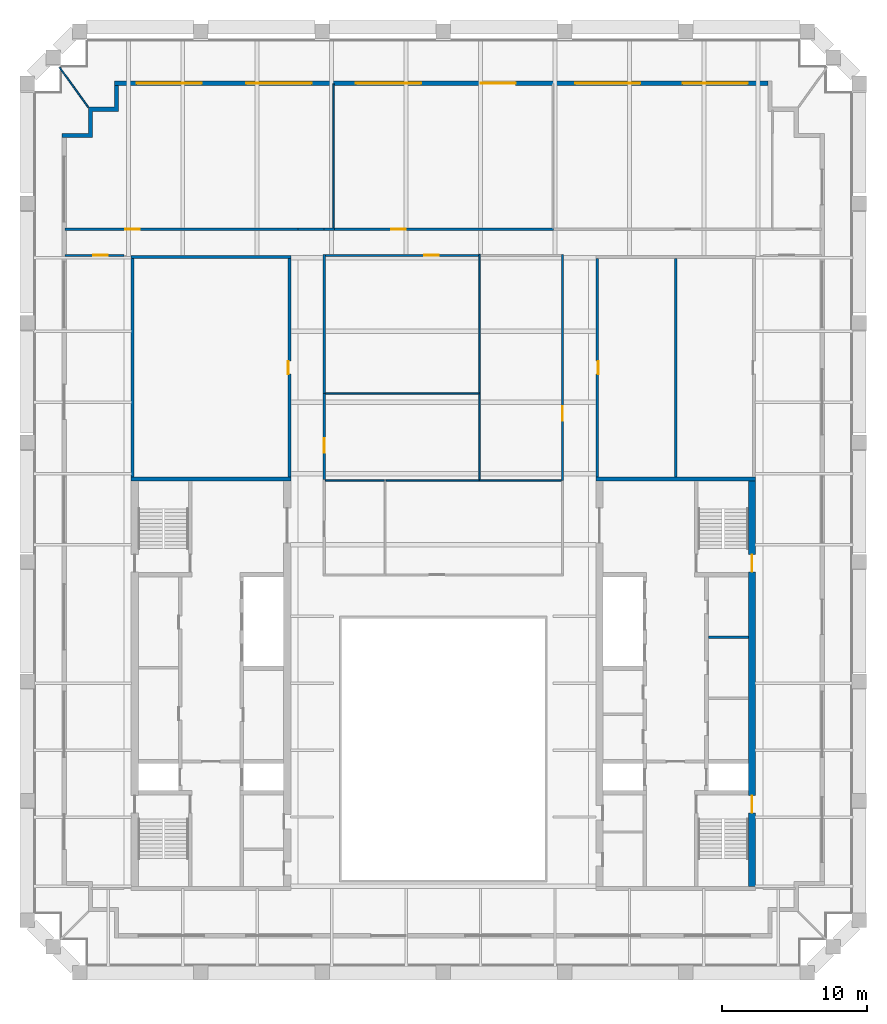
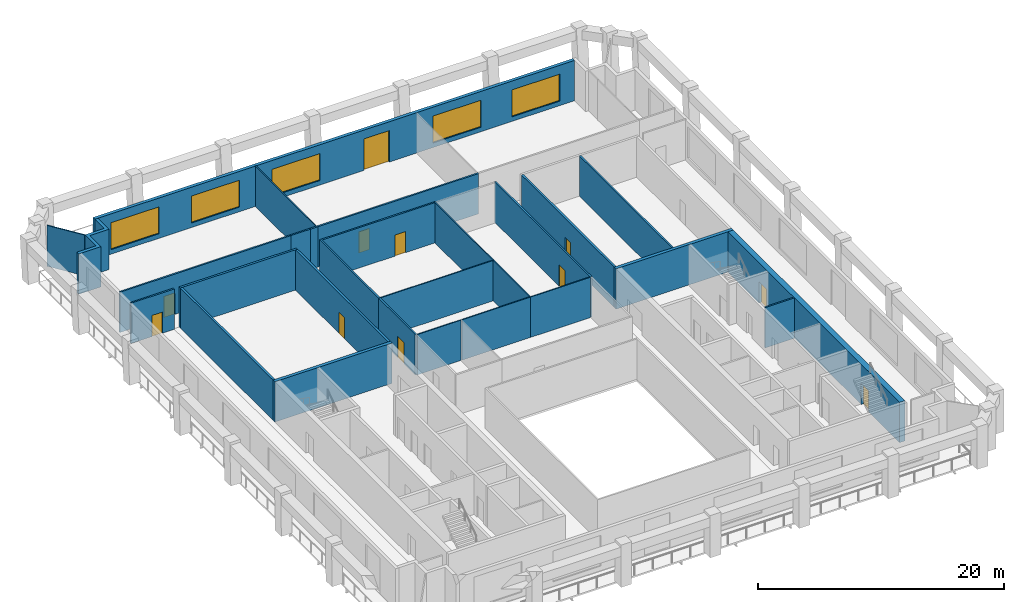
# One storey, part 5 of 7: 28 walls, 11 doors, 5 windows, 16 openings.
"""IFC4 building model written with IfcOpenShell, lengths in metres."""

from ifc_helpers import new_model, si_unit, direction, frame, frame_2d, origin, place, context, subcontext, project, spatial, polyline, rectangle, outline, extrude, material, layer, layer_set, type_object, element, fill, save


model = new_model("IFC4")

# Units and contexts
model_context = context("Model", 3, precision=1e-05, world=origin(), true_north=direction((0.0, 1.0)))
body_context = subcontext(model_context, "Body", "Model", "MODEL_VIEW")
ifc_project = project(units=[si_unit("LENGTHUNIT", "METRE"), si_unit("AREAUNIT", "SQUARE_METRE"), si_unit("VOLUMEUNIT", "CUBIC_METRE"), si_unit("PLANEANGLEUNIT", "RADIAN"), si_unit("MASSUNIT", "GRAM", prefix="KILO")], contexts=[model_context])

# Site, building, storey
site_placement = place(None, origin())
site = spatial("IfcSite", under=ifc_project, at=site_placement, CompositionType="ELEMENT")
building_placement = place(site_placement, origin())
building = spatial("IfcBuilding", under=site, at=building_placement, Name="Ogive Exchange Tower", CompositionType="ELEMENT")
storey_placement = place(building_placement, frame((0.0, 0.0, 313.199951171875)))
storey = spatial("IfcBuildingStorey", under=building, at=storey_placement, Name="L68", CompositionType="ELEMENT", Elevation=313.199951171875)

# Walls
ifc_material_1 = material(Name="Gypsum board partition")
ifc_layer_1 = layer(ifc_material_1, 0.14990234375)
ifc_layer_set_1 = layer_set([ifc_layer_1], Name="Core room partition 150 gypsum")
wall_type_1 = type_object("IfcWallType", Name="Core room partition 150 gypsum", PredefinedType="PARTITIONING", material=ifc_layer_set_1)
wall_1_placement = place(storey_placement, frame((18.25, 14.699951171875, 0.0), z_axis=(0.0, 0.0, 1.0), x_axis=(1.0, 0.0, 0.0)))
element("IfcWall", 1, at=wall_1_placement, inside=storey, type_object=wall_type_1, Name="E row A bay partition 1-2", PredefinedType="PARTITIONING", context=body_context, shape_type="SweptSolid", body=[
    extrude(rectangle(XDim=2.75, YDim=0.14990234375, at=frame_2d((1.375, 0.0))), origin(), (0.0, 0.0, 1.0), 4.0),
])
wall_2_placement = place(storey_placement, frame((16.0, 25.75, 0.0), z_axis=(0.0, 0.0, 1.0), x_axis=(0.0, 1.0, 0.0)))
element("IfcWall", 2, at=wall_2_placement, inside=storey, type_object=wall_type_1, Name="E annex N column wall", PredefinedType="PARTITIONING", context=body_context, shape_type="SweptSolid", body=[
    extrude(rectangle(XDim=15.050048828125, YDim=0.14990234375, at=frame_2d((7.52490234375, 0.0))), origin(), (0.0, 0.0, 1.0), 4.0),
])

# Wall, opening, door
ifc_material_2 = material(Name="Fire partition EI 60 150")
ifc_layer_2 = layer(ifc_material_2, 0.14990234375)
ifc_layer_set_2 = layer_set([ifc_layer_2], Name="Fire partition EI 60 150")
wall_type_2 = type_object("IfcWallType", Name="Fire partition EI 60 150", PredefinedType="PARTITIONING", material=ifc_layer_set_2)
wall_3_placement = place(storey_placement, frame((-26.050048828125, 42.800048828125, 0.0), z_axis=(0.0, 0.0, 1.0), x_axis=(1.0, 0.0, 0.0)))
wall_3 = element("IfcWall", 3, at=wall_3_placement, inside=storey, type_object=wall_type_2, Name="L68-PWL-001", PredefinedType="PARTITIONING", context=body_context, shape_type="SweptSolid", body=[
    extrude(rectangle(XDim=16.050048828125, YDim=0.14990234375, at=frame_2d((8.02490234375, 0.0))), origin(), (0.0, 0.0, 1.0), 4.0),
])
opening_1_placement = place(wall_3_placement, frame((4.14990234375, 0.0, 0.0)))
opening_1 = element("IfcOpeningElement", 4, at=opening_1_placement, cuts=wall_3, Name="Opening L68-I04", PredefinedType="OPENING", context=body_context, shape_type="SweptSolid", body=[
    extrude(rectangle(XDim=1.0, YDim=2.10009765625, at=frame_2d((0.5, 1.050048828125))), frame((0.0, 0.0849609375, 0.0), z_axis=(0.0, -1.0, 0.0), x_axis=(1.0, 0.0, 0.0)), (0.0, 0.0, 1.0), 0.169921875),
])
ifc_material_3 = material(Name="Fire door FD 30S 1000 x 2100")
door_type_1 = type_object("IfcDoorType", Name="Fire door FD 30S 1000 x 2100", OperationType="NOTDEFINED", PredefinedType="DOOR", material=ifc_material_3)
door_1_placement = place(opening_1_placement, origin())
door_1 = element("IfcDoor", 5, at=door_1_placement, inside=storey, type_object=door_type_1, Name="L68-IDR-004", ObjectType="DT3", OperationType="SINGLE_SWING_RIGHT", OverallHeight=2.10009765625, OverallWidth=1.0, PredefinedType="DOOR", context=body_context, shape_type="SweptSolid", body=[
    extrude(rectangle(XDim=1.0, YDim=2.10009765625, at=frame_2d((0.5, 1.050048828125))), frame((0.0, 0.02490234375, 0.0), z_axis=(0.0, -1.0, 0.0), x_axis=(1.0, 0.0, 0.0)), (0.0, 0.0, 1.0), 0.050048828125),
])
fill(opening_1, door_1)

wall_4_placement = place(storey_placement, frame((-22.0, 41.0, 0.0), z_axis=(0.0, 0.0, 1.0), x_axis=(-1.0, 0.0, 0.0)))
wall_4 = element("IfcWall", 6, at=wall_4_placement, inside=storey, type_object=wall_type_2, Name="L68-PWL-003", PredefinedType="PARTITIONING", context=body_context, shape_type="SweptSolid", body=[
    extrude(rectangle(XDim=4.050048828125, YDim=0.14990234375, at=frame_2d((2.02490234375, 0.0))), origin(), (0.0, 0.0, 1.0), 4.0),
])
opening_2_placement = place(wall_4_placement, frame((1.10009765625, 0.0, 0.0)))
opening_2 = element("IfcOpeningElement", 7, at=opening_2_placement, cuts=wall_4, Name="Opening L68-I10", PredefinedType="OPENING", context=body_context, shape_type="SweptSolid", body=[
    extrude(rectangle(XDim=1.0, YDim=2.10009765625, at=frame_2d((0.5, 1.050048828125))), frame((0.0, 0.0849609375, 0.0), z_axis=(0.0, -1.0, 0.0), x_axis=(1.0, 0.0, 0.0)), (0.0, 0.0, 1.0), 0.169921875),
])
door_2_placement = place(opening_2_placement, origin())
door_2 = element("IfcDoor", 8, at=door_2_placement, inside=storey, type_object=door_type_1, Name="L68-IDR-010", ObjectType="DT3", OperationType="SINGLE_SWING_RIGHT", OverallHeight=2.10009765625, OverallWidth=1.0, PredefinedType="DOOR", context=body_context, shape_type="SweptSolid", body=[
    extrude(rectangle(XDim=1.0, YDim=2.10009765625, at=frame_2d((0.5, 1.050048828125))), frame((0.0, 0.02490234375, 0.0), z_axis=(0.0, -1.0, 0.0), x_axis=(1.0, 0.0, 0.0)), (0.0, 0.0, 1.0), 0.050048828125),
])
fill(opening_2, door_2)

# Wall
wall_5_placement = place(storey_placement, frame((-10.0, 42.800048828125, 0.0), z_axis=(0.0, 0.0, 1.0), x_axis=(1.0, 0.0, 0.0)))
element("IfcWall", 9, at=wall_5_placement, inside=storey, type_object=wall_type_2, Name="L68-PWL-004", PredefinedType="PARTITIONING", context=body_context, shape_type="SweptSolid", body=[
    extrude(rectangle(XDim=1.800048828125, YDim=0.14990234375, at=frame_2d((0.89990234375, 0.0))), origin(), (0.0, 0.0, 1.0), 4.0),
])

# Wall, opening, door
wall_6_placement = place(storey_placement, frame((-8.199951171875, 31.5, 0.0), z_axis=(0.0, 0.0, 1.0), x_axis=(0.0, -1.0, 0.0)))
wall_6 = element("IfcWall", 10, at=wall_6_placement, inside=storey, type_object=wall_type_2, Name="L68-PWL-007", PredefinedType="PARTITIONING", context=body_context, shape_type="SweptSolid", body=[
    extrude(rectangle(XDim=5.949951171875, YDim=0.14990234375, at=frame_2d((2.97509765625, 0.0))), origin(), (0.0, 0.0, 1.0), 4.0),
])
opening_3_placement = place(wall_6_placement, frame((3.10009765625, 0.0, 0.0)))
opening_3 = element("IfcOpeningElement", 11, at=opening_3_placement, cuts=wall_6, Name="Opening L68-I06", PredefinedType="OPENING", context=body_context, shape_type="SweptSolid", body=[
    extrude(rectangle(XDim=1.0, YDim=2.10009765625, at=frame_2d((0.5, 1.050048828125))), frame((0.0, 0.0849609375, 0.0), z_axis=(0.0, -1.0, 0.0), x_axis=(1.0, 0.0, 0.0)), (0.0, 0.0, 1.0), 0.169921875),
])
door_3_placement = place(opening_3_placement, origin())
door_3 = element("IfcDoor", 12, at=door_3_placement, inside=storey, type_object=door_type_1, Name="L68-IDR-006", ObjectType="DT3", OperationType="SINGLE_SWING_LEFT", OverallHeight=2.10009765625, OverallWidth=1.0, PredefinedType="DOOR", context=body_context, shape_type="SweptSolid", body=[
    extrude(rectangle(XDim=1.0, YDim=2.10009765625, at=frame_2d((0.5, 1.050048828125))), frame((0.0, 0.02490234375, 0.0), z_axis=(0.0, -1.0, 0.0), x_axis=(1.0, 0.0, 0.0)), (0.0, 0.0, 1.0), 0.050048828125),
])
fill(opening_3, door_3)

# Walls
wall_7_placement = place(storey_placement, frame((-8.199951171875, 41.074951171875, 0.0), z_axis=(0.0, 0.0, 1.0), x_axis=(0.0, -1.0, 0.0)))
element("IfcWall", 13, at=wall_7_placement, inside=storey, type_object=wall_type_2, Name="L68-PWL-009", PredefinedType="PARTITIONING", context=body_context, shape_type="SweptSolid", body=[
    extrude(rectangle(XDim=9.574951171875, YDim=0.14990234375, at=frame_2d((4.78759765625, 0.0))), origin(), (0.0, 0.0, 1.0), 4.0),
])
wall_8_placement = place(storey_placement, frame((-8.199951171875, 42.800048828125, 0.0), z_axis=(0.0, 0.0, 1.0), x_axis=(1.0, 0.0, 0.0)))
element("IfcWall", 14, at=wall_8_placement, inside=storey, type_object=wall_type_2, Name="L68-PWL-010", PredefinedType="PARTITIONING", context=body_context, shape_type="SweptSolid", body=[
    extrude(rectangle(XDim=0.699951171875, YDim=0.14990234375, at=frame_2d((0.35009765625, 0.0))), origin(), (0.0, 0.0, 1.0), 4.0),
])

# Wall, opening, door
wall_9_placement = place(storey_placement, frame((-7.550048828125, 42.800048828125, 0.0), z_axis=(0.0, 0.0, 1.0), x_axis=(1.0, 0.0, 0.0)))
wall_9 = element("IfcWall", 15, at=wall_9_placement, inside=storey, type_object=wall_type_2, Name="L68-PWL-012", PredefinedType="PARTITIONING", context=body_context, shape_type="SweptSolid", body=[
    extrude(rectangle(XDim=15.150146484375, YDim=0.14990234375, at=frame_2d((7.5751953125, 0.0))), origin(), (0.0, 0.0, 1.0), 4.0),
])
opening_4_placement = place(wall_9_placement, frame((3.949951171875, 0.0, 0.0)))
opening_4 = element("IfcOpeningElement", 16, at=opening_4_placement, cuts=wall_9, Name="Opening L68-I03", PredefinedType="OPENING", context=body_context, shape_type="SweptSolid", body=[
    extrude(rectangle(XDim=1.0, YDim=2.10009765625, at=frame_2d((0.5, 1.050048828125))), frame((0.0, 0.0849609375, 0.0), z_axis=(0.0, -1.0, 0.0), x_axis=(1.0, 0.0, 0.0)), (0.0, 0.0, 1.0), 0.169921875),
])
door_4_placement = place(opening_4_placement, origin())
door_4 = element("IfcDoor", 17, at=door_4_placement, inside=storey, type_object=door_type_1, Name="L68-IDR-003", ObjectType="DT3", OperationType="SINGLE_SWING_LEFT", OverallHeight=2.10009765625, OverallWidth=1.0, PredefinedType="DOOR", context=body_context, shape_type="SweptSolid", body=[
    extrude(rectangle(XDim=1.0, YDim=2.10009765625, at=frame_2d((0.5, 1.050048828125))), frame((0.0, 0.02490234375, 0.0), z_axis=(0.0, -1.0, 0.0), x_axis=(1.0, 0.0, 0.0)), (0.0, 0.0, 1.0), 0.050048828125),
])
fill(opening_4, door_4)

wall_10_placement = place(storey_placement, frame((2.449951171875, 41.0, 0.0), z_axis=(0.0, 0.0, 1.0), x_axis=(-1.0, 0.0, 0.0)))
wall_10 = element("IfcWall", 18, at=wall_10_placement, inside=storey, type_object=wall_type_2, Name="L68-PWL-019", PredefinedType="PARTITIONING", context=body_context, shape_type="SweptSolid", body=[
    extrude(rectangle(XDim=10.574951171875, YDim=0.14990234375, at=frame_2d((5.28759765625, 0.0))), origin(), (0.0, 0.0, 1.0), 4.0),
])
opening_5_placement = place(wall_10_placement, frame((2.75, 0.0, 0.0)))
opening_5 = element("IfcOpeningElement", 19, at=opening_5_placement, cuts=wall_10, Name="Opening L68-I07", PredefinedType="OPENING", context=body_context, shape_type="SweptSolid", body=[
    extrude(rectangle(XDim=1.0, YDim=2.10009765625, at=frame_2d((0.5, 1.050048828125))), frame((0.0, 0.0849609375, 0.0), z_axis=(0.0, -1.0, 0.0), x_axis=(1.0, 0.0, 0.0)), (0.0, 0.0, 1.0), 0.169921875),
])
door_5_placement = place(opening_5_placement, origin())
door_5 = element("IfcDoor", 20, at=door_5_placement, inside=storey, type_object=door_type_1, Name="L68-IDR-007", ObjectType="DT3", OperationType="SINGLE_SWING_RIGHT", OverallHeight=2.10009765625, OverallWidth=1.0, PredefinedType="DOOR", context=body_context, shape_type="SweptSolid", body=[
    extrude(rectangle(XDim=1.0, YDim=2.10009765625, at=frame_2d((0.5, 1.050048828125))), frame((0.0, 0.02490234375, 0.0), z_axis=(0.0, -1.0, 0.0), x_axis=(1.0, 0.0, 0.0)), (0.0, 0.0, 1.0), 0.050048828125),
])
fill(opening_5, door_5)

wall_11_placement = place(storey_placement, frame((8.199951171875, 25.5, 0.0), z_axis=(0.0, 0.0, 1.0), x_axis=(0.0, 1.0, 0.0)))
wall_11 = element("IfcWall", 21, at=wall_11_placement, inside=storey, type_object=wall_type_2, Name="L68-PWL-024", PredefinedType="PARTITIONING", context=body_context, shape_type="SweptSolid", body=[
    extrude(rectangle(XDim=15.574951171875, YDim=0.14990234375, at=frame_2d((7.78759765625, 0.0))), origin(), (0.0, 0.0, 1.0), 4.0),
])
opening_6_placement = place(wall_11_placement, frame((4.10009765625, 0.0, 0.0)))
opening_6 = element("IfcOpeningElement", 22, at=opening_6_placement, cuts=wall_11, Name="Opening L68-I05", PredefinedType="OPENING", context=body_context, shape_type="SweptSolid", body=[
    extrude(rectangle(XDim=1.0, YDim=2.10009765625, at=frame_2d((0.5, 1.050048828125))), frame((0.0, 0.0849609375, 0.0), z_axis=(0.0, -1.0, 0.0), x_axis=(1.0, 0.0, 0.0)), (0.0, 0.0, 1.0), 0.169921875),
])
door_6_placement = place(opening_6_placement, origin())
door_6 = element("IfcDoor", 23, at=door_6_placement, inside=storey, type_object=door_type_1, Name="L68-IDR-005", ObjectType="DT3", OperationType="SINGLE_SWING_RIGHT", OverallHeight=2.10009765625, OverallWidth=1.0, PredefinedType="DOOR", context=body_context, shape_type="SweptSolid", body=[
    extrude(rectangle(XDim=1.0, YDim=2.10009765625, at=frame_2d((0.5, 1.050048828125))), frame((0.0, 0.02490234375, 0.0), z_axis=(0.0, -1.0, 0.0), x_axis=(1.0, 0.0, 0.0)), (0.0, 0.0, 1.0), 0.050048828125),
])
fill(opening_6, door_6)

# Wall, openings, door, windows
ifc_material_4 = material(Name="Precast concrete C40/50", Category="concrete")
ifc_layer_3 = layer(ifc_material_4, 0.300048828125)
ifc_layer_set_3 = layer_set([ifc_layer_3], Name="Limestone-faced wall 300")
wall_type_3 = type_object("IfcWallType", Name="Limestone-faced wall 300", PredefinedType="STANDARD", material=ifc_layer_set_3)
wall_12_placement = place(storey_placement, frame((22.35009765625, 52.85009765625, 0.0), z_axis=(0.0, 0.0, 1.0), x_axis=(-1.0, 0.0, 0.0)))
wall_12 = element("IfcWall", 24, at=wall_12_placement, inside=storey, type_object=wall_type_3, Name="External wall N3", PredefinedType="STANDARD", context=body_context, shape_type="SweptSolid", body=[
    extrude(rectangle(XDim=45.0, YDim=0.300048828125, at=frame_2d((22.5, 0.0))), origin(), (0.0, 0.0, 1.0), 4.0),
])
opening_7_placement = place(wall_12_placement, frame((1.375, 0.0, 0.449951171875)))
opening_7 = element("IfcOpeningElement", 25, at=opening_7_placement, cuts=wall_12, Name="Opening W1J", PredefinedType="OPENING", context=body_context, shape_type="SweptSolid", body=[
    extrude(rectangle(XDim=4.5, YDim=2.675048828125, at=frame_2d((2.25, 1.33740234375))), frame((0.0, 0.159912109375, 0.0), z_axis=(0.0, -1.0, 0.0), x_axis=(1.0, 0.0, 0.0)), (0.0, 0.0, 1.0), 0.320068359375),
])
opening_8_placement = place(wall_12_placement, frame((8.77490234375, 0.0, 0.449951171875)))
opening_8 = element("IfcOpeningElement", 26, at=opening_8_placement, cuts=wall_12, Name="Opening W1J", PredefinedType="OPENING", context=body_context, shape_type="SweptSolid", body=[
    extrude(rectangle(XDim=4.5, YDim=2.675048828125, at=frame_2d((2.25, 1.33740234375))), frame((0.0, 0.159912109375, 0.0), z_axis=(0.0, -1.0, 0.0), x_axis=(1.0, 0.0, 0.0)), (0.0, 0.0, 1.0), 0.320068359375),
])
opening_9_placement = place(wall_12_placement, frame((17.375, 0.0, 0.0)))
opening_9 = element("IfcOpeningElement", 27, at=opening_9_placement, cuts=wall_12, Name="Opening D1J", PredefinedType="OPENING", context=body_context, shape_type="SweptSolid", body=[
    extrude(rectangle(XDim=2.39990234375, YDim=3.125, at=frame_2d((1.199951171875, 1.5625))), frame((0.0, 0.159912109375, 0.0), z_axis=(0.0, -1.0, 0.0), x_axis=(1.0, 0.0, 0.0)), (0.0, 0.0, 1.0), 0.320068359375),
])
opening_10_placement = place(wall_12_placement, frame((23.875, 0.0, 0.449951171875)))
opening_10 = element("IfcOpeningElement", 28, at=opening_10_placement, cuts=wall_12, Name="Opening W1J", PredefinedType="OPENING", context=body_context, shape_type="SweptSolid", body=[
    extrude(rectangle(XDim=4.5, YDim=2.675048828125, at=frame_2d((2.25, 1.33740234375))), frame((0.0, 0.159912109375, 0.0), z_axis=(0.0, -1.0, 0.0), x_axis=(1.0, 0.0, 0.0)), (0.0, 0.0, 1.0), 0.320068359375),
])
opening_11_placement = place(wall_12_placement, frame((31.425048828125, 0.0, 0.449951171875)))
opening_11 = element("IfcOpeningElement", 29, at=opening_11_placement, cuts=wall_12, Name="Opening W1J", PredefinedType="OPENING", context=body_context, shape_type="SweptSolid", body=[
    extrude(rectangle(XDim=4.5, YDim=2.675048828125, at=frame_2d((2.25, 1.33740234375))), frame((0.0, 0.159912109375, 0.0), z_axis=(0.0, -1.0, 0.0), x_axis=(1.0, 0.0, 0.0)), (0.0, 0.0, 1.0), 0.320068359375),
])
opening_12_placement = place(wall_12_placement, frame((38.97509765625, 0.0, 0.449951171875)))
opening_12 = element("IfcOpeningElement", 30, at=opening_12_placement, cuts=wall_12, Name="Opening W1J", PredefinedType="OPENING", context=body_context, shape_type="SweptSolid", body=[
    extrude(rectangle(XDim=4.5, YDim=2.675048828125, at=frame_2d((2.25, 1.33740234375))), frame((0.0, 0.159912109375, 0.0), z_axis=(0.0, -1.0, 0.0), x_axis=(1.0, 0.0, 0.0)), (0.0, 0.0, 1.0), 0.320068359375),
])
ifc_material_5 = material(Name="Clear glass in bronze frame", Category="glass")
door_type_2 = type_object("IfcDoorType", Name="Sliding loggia door 2400 x 3125", OperationType="DOUBLE_DOOR_SLIDING", PredefinedType="DOOR", material=ifc_material_5)
door_7_placement = place(opening_9_placement, origin())
door_7 = element("IfcDoor", 31, at=door_7_placement, inside=storey, type_object=door_type_2, Name="Loggia door N02", OperationType="DOUBLE_DOOR_SLIDING", OverallHeight=3.125, OverallWidth=2.39990234375, PredefinedType="DOOR", context=body_context, shape_type="SweptSolid", body=[
    extrude(rectangle(XDim=2.39990234375, YDim=3.125, at=frame_2d((1.199951171875, 1.5625))), frame((0.0, 0.02490234375, 0.0), z_axis=(0.0, -1.0, 0.0), x_axis=(1.0, 0.0, 0.0)), (0.0, 0.0, 1.0), 0.050048828125),
])
fill(opening_9, door_7)
window_type = type_object("IfcWindowType", Name="Twin lancet window 4500 x 2675", PartitioningType="DOUBLE_PANEL_VERTICAL", PredefinedType="WINDOW", material=ifc_material_5)
window_1_placement = place(opening_7_placement, origin())
window_1 = element("IfcWindow", 32, at=window_1_placement, inside=storey, type_object=window_type, Name="Window N00", OverallHeight=2.675048828125, OverallWidth=4.5, PartitioningType="DOUBLE_PANEL_VERTICAL", PredefinedType="WINDOW", context=body_context, shape_type="SweptSolid", body=[
    extrude(rectangle(XDim=4.5, YDim=2.675048828125, at=frame_2d((2.25, 1.33740234375))), frame((0.0, 0.030029296875, 0.0), z_axis=(0.0, -1.0, 0.0), x_axis=(1.0, 0.0, 0.0)), (0.0, 0.0, 1.0), 0.06005859375),
])
fill(opening_7, window_1)
window_2_placement = place(opening_8_placement, origin())
window_2 = element("IfcWindow", 33, at=window_2_placement, inside=storey, type_object=window_type, Name="Window N01", OverallHeight=2.675048828125, OverallWidth=4.5, PartitioningType="DOUBLE_PANEL_VERTICAL", PredefinedType="WINDOW", context=body_context, shape_type="SweptSolid", body=[
    extrude(rectangle(XDim=4.5, YDim=2.675048828125, at=frame_2d((2.25, 1.33740234375))), frame((0.0, 0.030029296875, 0.0), z_axis=(0.0, -1.0, 0.0), x_axis=(1.0, 0.0, 0.0)), (0.0, 0.0, 1.0), 0.06005859375),
])
fill(opening_8, window_2)
window_3_placement = place(opening_10_placement, origin())
window_3 = element("IfcWindow", 34, at=window_3_placement, inside=storey, type_object=window_type, Name="Window N03", OverallHeight=2.675048828125, OverallWidth=4.5, PartitioningType="DOUBLE_PANEL_VERTICAL", PredefinedType="WINDOW", context=body_context, shape_type="SweptSolid", body=[
    extrude(rectangle(XDim=4.5, YDim=2.675048828125, at=frame_2d((2.25, 1.33740234375))), frame((0.0, 0.030029296875, 0.0), z_axis=(0.0, -1.0, 0.0), x_axis=(1.0, 0.0, 0.0)), (0.0, 0.0, 1.0), 0.06005859375),
])
fill(opening_10, window_3)
window_4_placement = place(opening_11_placement, origin())
window_4 = element("IfcWindow", 35, at=window_4_placement, inside=storey, type_object=window_type, Name="Window N04", OverallHeight=2.675048828125, OverallWidth=4.5, PartitioningType="DOUBLE_PANEL_VERTICAL", PredefinedType="WINDOW", context=body_context, shape_type="SweptSolid", body=[
    extrude(rectangle(XDim=4.5, YDim=2.675048828125, at=frame_2d((2.25, 1.33740234375))), frame((0.0, 0.030029296875, 0.0), z_axis=(0.0, -1.0, 0.0), x_axis=(1.0, 0.0, 0.0)), (0.0, 0.0, 1.0), 0.06005859375),
])
fill(opening_11, window_4)
window_5_placement = place(opening_12_placement, origin())
window_5 = element("IfcWindow", 36, at=window_5_placement, inside=storey, type_object=window_type, Name="Window N05", OverallHeight=2.675048828125, OverallWidth=4.5, PartitioningType="DOUBLE_PANEL_VERTICAL", PredefinedType="WINDOW", context=body_context, shape_type="SweptSolid", body=[
    extrude(rectangle(XDim=4.5, YDim=2.675048828125, at=frame_2d((2.25, 1.33740234375))), frame((0.0, 0.030029296875, 0.0), z_axis=(0.0, -1.0, 0.0), x_axis=(1.0, 0.0, 0.0)), (0.0, 0.0, 1.0), 0.06005859375),
])
fill(opening_12, window_5)

# Walls
wall_13_placement = place(storey_placement, origin())
element("IfcWall", 37, at=wall_13_placement, inside=storey, type_object=wall_type_3, Name="External corner wall C3", PredefinedType="STANDARD", context=body_context, shape_type="SweptSolid", body=[
    extrude(outline(polyline([(-24.449951171875, 49.39990234375), (-24.449951171875, 51.199951171875), (-22.64990234375, 51.199951171875), (-22.64990234375, 52.699951171875), (-22.35009765625, 52.699951171875), (-22.35009765625, 50.89990234375), (-24.14990234375, 50.89990234375), (-24.14990234375, 49.10009765625), (-26.25, 49.10009765625), (-26.25, 49.39990234375), (-24.449951171875, 49.39990234375)])), origin(), (0.0, 0.0, 1.0), 4.0),
])
ifc_material_6 = material(Name="Laminated safety glass in steel frame", Category="steel")
ifc_layer_4 = layer(ifc_material_6, 0.10009765625)
ifc_layer_set_4 = layer_set([ifc_layer_4], Name="Loggia end screen 100")
wall_type_4 = type_object("IfcWallType", Name="Loggia end screen 100", PredefinedType="STANDARD", material=ifc_layer_set_4)
wall_14_placement = place(storey_placement, frame((-24.449951171875, 51.199951171875, -0.050048828125), z_axis=(0.0, 0.0, 1.0), x_axis=(-0.585001892545, 0.811031926448, 0.0)))
element("IfcWall", 38, at=wall_14_placement, inside=storey, type_object=wall_type_4, Name="Loggia end screen C3", PredefinedType="STANDARD", context=body_context, shape_type="SweptSolid", body=[
    extrude(rectangle(XDim=3.37548828125, YDim=0.10009765625, at=frame_2d((1.687744140625, 0.0))), origin(), (0.0, 0.0, 1.0), 4.050048828125),
])
ifc_material_7 = material(Name="Partition 100 gypsum")
ifc_layer_5 = layer(ifc_material_7, 0.10009765625)
ifc_layer_set_5 = layer_set([ifc_layer_5], Name="Partition 100 gypsum")
wall_type_5 = type_object("IfcWallType", Name="Partition 100 gypsum", PredefinedType="PARTITIONING", material=ifc_layer_set_5)
wall_15_placement = place(storey_placement, frame((-8.125, 31.5, 0.0), z_axis=(0.0, 0.0, 1.0), x_axis=(1.0, 0.0, 0.0)))
element("IfcWall", 39, at=wall_15_placement, inside=storey, type_object=wall_type_5, Name="L68-PWL-008", PredefinedType="PARTITIONING", context=body_context, shape_type="SweptSolid", body=[
    extrude(rectangle(XDim=10.675048828125, YDim=0.10009765625, at=frame_2d((5.33740234375, 0.0))), origin(), (0.0, 0.0, 1.0), 4.0),
])
wall_16_placement = place(storey_placement, frame((-7.550048828125, 42.875, 0.0), z_axis=(0.0, 0.0, 1.0), x_axis=(0.0, 1.0, 0.0)))
element("IfcWall", 40, at=wall_16_placement, inside=storey, type_object=wall_type_5, Name="L68-PWL-011", PredefinedType="PARTITIONING", context=body_context, shape_type="SweptSolid", body=[
    extrude(rectangle(XDim=9.925048828125, YDim=0.10009765625, at=frame_2d((4.96240234375, 0.0))), origin(), (0.0, 0.0, 1.0), 4.0),
])
wall_17_placement = place(storey_placement, frame((-4.050048828125, 25.5, 0.0), z_axis=(0.0, 0.0, 1.0), x_axis=(-1.0, 0.0, 0.0)))
element("IfcWall", 41, at=wall_17_placement, inside=storey, type_object=wall_type_5, Name="L68-PWL-015", PredefinedType="PARTITIONING", context=body_context, shape_type="SweptSolid", body=[
    extrude(rectangle(XDim=4.074951171875, YDim=0.10009765625, at=frame_2d((2.03759765625, 0.0))), origin(), (0.0, 0.0, 1.0), 4.0),
])
wall_18_placement = place(storey_placement, frame((2.550048828125, 25.5, 0.0), z_axis=(0.0, 0.0, 1.0), x_axis=(-1.0, 0.0, 0.0)))
element("IfcWall", 42, at=wall_18_placement, inside=storey, type_object=wall_type_5, Name="L68-PWL-016", PredefinedType="PARTITIONING", context=body_context, shape_type="SweptSolid", body=[
    extrude(rectangle(XDim=6.5, YDim=0.10009765625, at=frame_2d((3.25, 0.0))), origin(), (0.0, 0.0, 1.0), 4.0),
])
wall_19_placement = place(storey_placement, frame((2.5, 25.550048828125, 0.0), z_axis=(0.0, 0.0, 1.0), x_axis=(0.0, 1.0, 0.0)))
element("IfcWall", 43, at=wall_19_placement, inside=storey, type_object=wall_type_5, Name="L68-PWL-017", PredefinedType="PARTITIONING", context=body_context, shape_type="SweptSolid", body=[
    extrude(rectangle(XDim=5.89990234375, YDim=0.10009765625, at=frame_2d((2.949951171875, 0.0))), origin(), (0.0, 0.0, 1.0), 4.0),
])
wall_20_placement = place(storey_placement, frame((2.5, 31.550048828125, 0.0), z_axis=(0.0, 0.0, 1.0), x_axis=(0.0, 1.0, 0.0)))
element("IfcWall", 44, at=wall_20_placement, inside=storey, type_object=wall_type_5, Name="L68-PWL-018", PredefinedType="PARTITIONING", context=body_context, shape_type="SweptSolid", body=[
    extrude(rectangle(XDim=9.52490234375, YDim=0.10009765625, at=frame_2d((4.762451171875, 0.0))), origin(), (0.0, 0.0, 1.0), 4.0),
])
wall_21_placement = place(storey_placement, frame((8.125, 25.5, 0.0), z_axis=(0.0, 0.0, 1.0), x_axis=(-1.0, 0.0, 0.0)))
element("IfcWall", 45, at=wall_21_placement, inside=storey, type_object=wall_type_5, Name="L68-PWL-023", PredefinedType="PARTITIONING", context=body_context, shape_type="SweptSolid", body=[
    extrude(rectangle(XDim=5.625, YDim=0.10009765625, at=frame_2d((2.8125, 0.0))), origin(), (0.0, 0.0, 1.0), 4.0),
])
ifc_material_8 = material(Name="Concrete C70/85", Category="concrete")
ifc_layer_6 = layer(ifc_material_8, 0.199951171875)
ifc_layer_set_6 = layer_set([ifc_layer_6], Name="RC core wall 200 C70/85")
wall_type_6 = type_object("IfcWallType", Name="RC core wall 200 C70/85", PredefinedType="SHEAR", material=ifc_layer_set_6)
wall_22_placement = place(storey_placement, frame((-21.39990234375, 25.75, 0.0), z_axis=(0.0, 0.0, 1.0), x_axis=(0.0, 1.0, 0.0)))
element("IfcWall", 46, at=wall_22_placement, inside=storey, type_object=wall_type_6, Name="W annex N outer wall", PredefinedType="SHEAR", context=body_context, shape_type="SweptSolid", body=[
    extrude(rectangle(XDim=15.050048828125, YDim=0.199951171875, at=frame_2d((7.52490234375, 0.0))), origin(), (0.0, 0.0, 1.0), 4.0),
])

# Wall, opening, door
wall_23_placement = place(storey_placement, frame((-10.60009765625, 25.75, 0.0), z_axis=(0.0, 0.0, 1.0), x_axis=(0.0, 1.0, 0.0)))
wall_23 = element("IfcWall", 47, at=wall_23_placement, inside=storey, type_object=wall_type_6, Name="W annex N inner wall", PredefinedType="SHEAR", context=body_context, shape_type="SweptSolid", body=[
    extrude(rectangle(XDim=15.050048828125, YDim=0.199951171875, at=frame_2d((7.52490234375, 0.0))), origin(), (0.0, 0.0, 1.0), 4.0),
])
opening_13_placement = place(wall_23_placement, frame((7.074951171875, 0.0, 0.0)))
opening_13 = element("IfcOpeningElement", 48, at=opening_13_placement, cuts=wall_23, Name="Opening L68-C17", PredefinedType="OPENING", context=body_context, shape_type="SweptSolid", body=[
    extrude(rectangle(XDim=0.89990234375, YDim=2.10009765625, at=frame_2d((0.449951171875, 1.050048828125))), frame((0.0, 0.10986328125, 0.0), z_axis=(0.0, -1.0, 0.0), x_axis=(1.0, 0.0, 0.0)), (0.0, 0.0, 1.0), 0.219970703125),
])
ifc_material_9 = material(Name="Steel fire door", Category="steel")
door_type_3 = type_object("IfcDoorType", Name="Riser door FD60 900 x 2100", OperationType="NOTDEFINED", PredefinedType="DOOR", material=ifc_material_9)
door_8_placement = place(opening_13_placement, frame((0.89990234375, 0.14990234375, 0.0), z_axis=(0.0, 0.0, 1.0), x_axis=(-1.0, 0.0, 0.0)))
door_8 = element("IfcDoor", 49, at=door_8_placement, inside=storey, type_object=door_type_3, Name="Riser door", ObjectType="CD2", OperationType="SINGLE_SWING_RIGHT", OverallHeight=2.10009765625, OverallWidth=0.89990234375, PredefinedType="DOOR", context=body_context, shape_type="SweptSolid", body=[
    extrude(rectangle(XDim=0.89990234375, YDim=2.10009765625, at=frame_2d((0.449951171875, 1.050048828125))), frame((0.0, 0.10009765625, 0.0), z_axis=(0.0, -1.0, 0.0), x_axis=(1.0, 0.0, 0.0)), (0.0, 0.0, 1.0), 0.050048828125),
])
fill(opening_13, door_8)

# Wall
wall_24_placement = place(storey_placement, frame((-21.5, 40.89990234375, 0.0), z_axis=(0.0, 0.0, 1.0), x_axis=(1.0, 0.0, 0.0)))
element("IfcWall", 50, at=wall_24_placement, inside=storey, type_object=wall_type_6, Name="W annex N end wall", PredefinedType="SHEAR", context=body_context, shape_type="SweptSolid", body=[
    extrude(rectangle(XDim=11.0, YDim=0.199951171875, at=frame_2d((5.5, 0.0))), origin(), (0.0, 0.0, 1.0), 4.0),
])

# Wall, opening, door
wall_25_placement = place(storey_placement, frame((10.60009765625, 25.75, 0.0), z_axis=(0.0, 0.0, 1.0), x_axis=(0.0, 1.0, 0.0)))
wall_25 = element("IfcWall", 51, at=wall_25_placement, inside=storey, type_object=wall_type_6, Name="E annex N inner wall", PredefinedType="SHEAR", context=body_context, shape_type="SweptSolid", body=[
    extrude(rectangle(XDim=15.050048828125, YDim=0.199951171875, at=frame_2d((7.52490234375, 0.0))), origin(), (0.0, 0.0, 1.0), 4.0),
])
opening_14_placement = place(wall_25_placement, frame((7.074951171875, 0.0, 0.0)))
opening_14 = element("IfcOpeningElement", 52, at=opening_14_placement, cuts=wall_25, Name="Opening L68-C37", PredefinedType="OPENING", context=body_context, shape_type="SweptSolid", body=[
    extrude(rectangle(XDim=0.89990234375, YDim=2.10009765625, at=frame_2d((0.449951171875, 1.050048828125))), frame((0.0, 0.10986328125, 0.0), z_axis=(0.0, -1.0, 0.0), x_axis=(1.0, 0.0, 0.0)), (0.0, 0.0, 1.0), 0.219970703125),
])
ifc_material_10 = material(Name="Timber fire door", Category="wood")
door_type_4 = type_object("IfcDoorType", Name="Core room door FD30S 900 x 2100", OperationType="NOTDEFINED", PredefinedType="DOOR", material=ifc_material_10)
door_9_placement = place(opening_14_placement, origin())
door_9 = element("IfcDoor", 53, at=door_9_placement, inside=storey, type_object=door_type_4, Name="Core room door", ObjectType="CD6", OperationType="SINGLE_SWING_LEFT", OverallHeight=2.10009765625, OverallWidth=0.89990234375, PredefinedType="DOOR", context=body_context, shape_type="SweptSolid", body=[
    extrude(rectangle(XDim=0.89990234375, YDim=2.10009765625, at=frame_2d((0.449951171875, 1.050048828125))), frame((0.0, -0.0498046875, 0.0), z_axis=(0.0, -1.0, 0.0), x_axis=(1.0, 0.0, 0.0)), (0.0, 0.0, 1.0), 0.050048828125),
])
fill(opening_14, door_9)

# Walls
ifc_layer_7 = layer(ifc_material_8, 0.300048828125)
ifc_layer_set_7 = layer_set([ifc_layer_7], Name="RC core wall 300 C70/85")
wall_type_7 = type_object("IfcWallType", Name="RC core wall 300 C70/85", PredefinedType="SHEAR", material=ifc_layer_set_7)
for number, where, z_axis, x_axis, name in (
    (54, (-21.5, 25.60009765625, 0.0), (0.0, 0.0, 1.0), (1.0, 0.0, 0.0), "W north end wall"),
    (55, (10.5, 25.60009765625, 0.0), (0.0, 0.0, 1.0), (1.0, 0.0, 0.0), "E north end wall"),
):
    element("IfcWall", number, at=place(storey_placement, frame(where, z_axis=z_axis, x_axis=x_axis)), inside=storey, type_object=wall_type_7, Name=name, PredefinedType="SHEAR", context=body_context, shape_type="SweptSolid", body=[
        extrude(rectangle(XDim=11.0, YDim=0.300048828125, at=frame_2d((5.5, 0.0))), origin(), (0.0, 0.0, 1.0), 4.0),
    ])

# Wall, openings, doors
ifc_layer_8 = layer(ifc_material_8, 0.5)
ifc_layer_set_8 = layer_set([ifc_layer_8], Name="RC core wall 500 C70/85")
wall_type_8 = type_object("IfcWallType", Name="RC core wall 500 C70/85", PredefinedType="SHEAR", material=ifc_layer_set_8)
wall_26_placement = place(storey_placement, frame((21.25, -2.449951171875, 0.0), z_axis=(0.0, 0.0, 1.0), x_axis=(0.0, 1.0, 0.0)))
wall_26 = element("IfcWall", 56, at=wall_26_placement, inside=storey, type_object=wall_type_8, Name="E outer wall", PredefinedType="SHEAR", context=body_context, shape_type="SweptSolid", body=[
    extrude(rectangle(XDim=27.89990234375, YDim=0.5, at=frame_2d((13.949951171875, 0.0))), origin(), (0.0, 0.0, 1.0), 4.0),
])
opening_15_placement = place(wall_26_placement, frame((5.050048828125, 0.0, 0.0)))
opening_15 = element("IfcOpeningElement", 57, at=opening_15_placement, cuts=wall_26, Name="Opening L68-C31", PredefinedType="OPENING", context=body_context, shape_type="SweptSolid", body=[
    extrude(rectangle(XDim=1.199951171875, YDim=2.10009765625, at=frame_2d((0.60009765625, 1.050048828125))), frame((0.0, 0.260009765625, 0.0), z_axis=(0.0, -1.0, 0.0), x_axis=(1.0, 0.0, 0.0)), (0.0, 0.0, 1.0), 0.52001953125),
])
opening_16_placement = place(wall_26_placement, frame((21.64990234375, 0.0, 0.0)))
opening_16 = element("IfcOpeningElement", 58, at=opening_16_placement, cuts=wall_26, Name="Opening L68-C33", PredefinedType="OPENING", context=body_context, shape_type="SweptSolid", body=[
    extrude(rectangle(XDim=1.199951171875, YDim=2.10009765625, at=frame_2d((0.60009765625, 1.050048828125))), frame((0.0, 0.260009765625, 0.0), z_axis=(0.0, -1.0, 0.0), x_axis=(1.0, 0.0, 0.0)), (0.0, 0.0, 1.0), 0.52001953125),
])
door_type_5 = type_object("IfcDoorType", Name="Stair door FD90 1200 x 2100", OperationType="NOTDEFINED", PredefinedType="DOOR", material=ifc_material_9)
door_10_placement = place(opening_15_placement, frame((1.199951171875, 0.0, 0.0), z_axis=(0.0, 0.0, 1.0), x_axis=(-1.0, 0.0, 0.0)))
door_10 = element("IfcDoor", 59, at=door_10_placement, inside=storey, type_object=door_type_5, Name="Stair door", ObjectType="CD5", OperationType="SINGLE_SWING_LEFT", OverallHeight=2.10009765625, OverallWidth=1.199951171875, PredefinedType="DOOR", context=body_context, shape_type="SweptSolid", body=[
    extrude(rectangle(XDim=1.199951171875, YDim=2.10009765625, at=frame_2d((0.60009765625, 1.050048828125))), frame((0.0, 0.02490234375, 0.0), z_axis=(0.0, -1.0, 0.0), x_axis=(1.0, 0.0, 0.0)), (0.0, 0.0, 1.0), 0.050048828125),
])
fill(opening_15, door_10)
door_11_placement = place(opening_16_placement, frame((1.199951171875, 0.0, 0.0), z_axis=(0.0, 0.0, 1.0), x_axis=(-1.0, 0.0, 0.0)))
door_11 = element("IfcDoor", 60, at=door_11_placement, inside=storey, type_object=door_type_5, Name="Stair door", ObjectType="CD5", OperationType="SINGLE_SWING_LEFT", OverallHeight=2.10009765625, OverallWidth=1.199951171875, PredefinedType="DOOR", context=body_context, shape_type="SweptSolid", body=[
    extrude(rectangle(XDim=1.199951171875, YDim=2.10009765625, at=frame_2d((0.60009765625, 1.050048828125))), frame((0.0, 0.02490234375, 0.0), z_axis=(0.0, -1.0, 0.0), x_axis=(1.0, 0.0, 0.0)), (0.0, 0.0, 1.0), 0.050048828125),
])
fill(opening_16, door_11)

save(model, "model.ifc")
